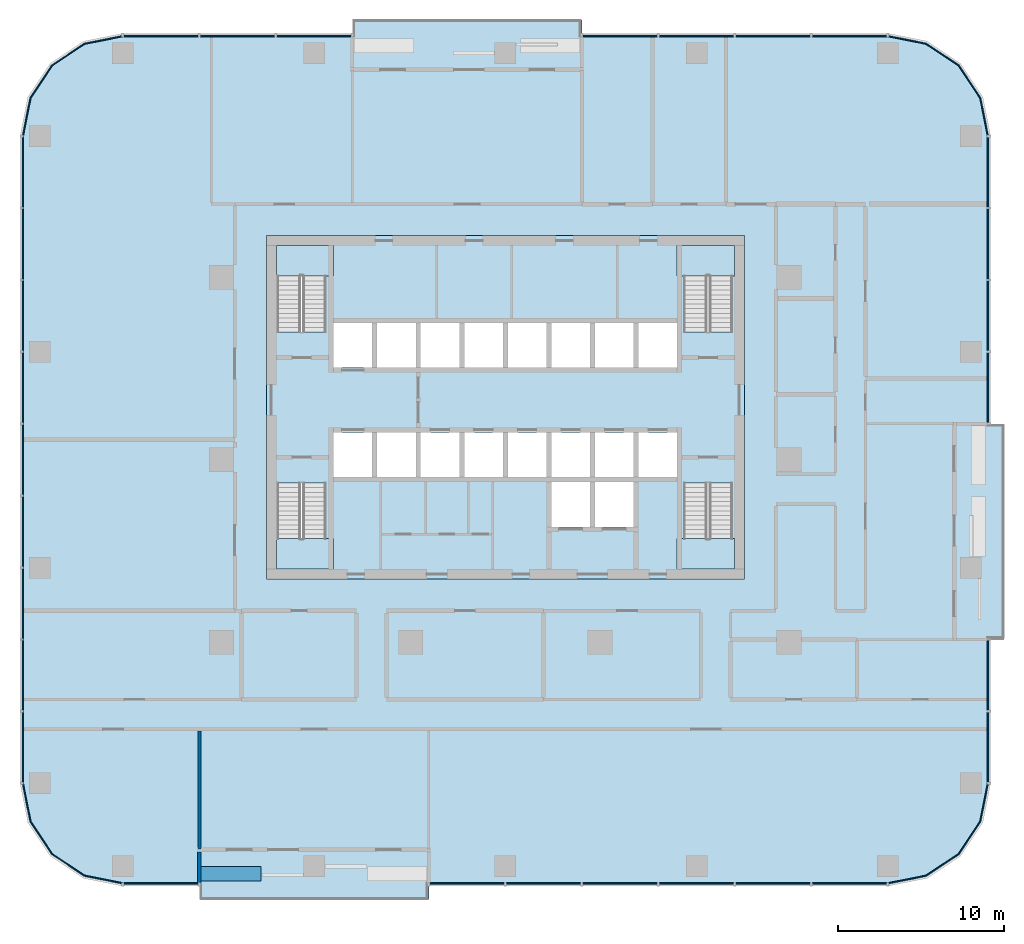
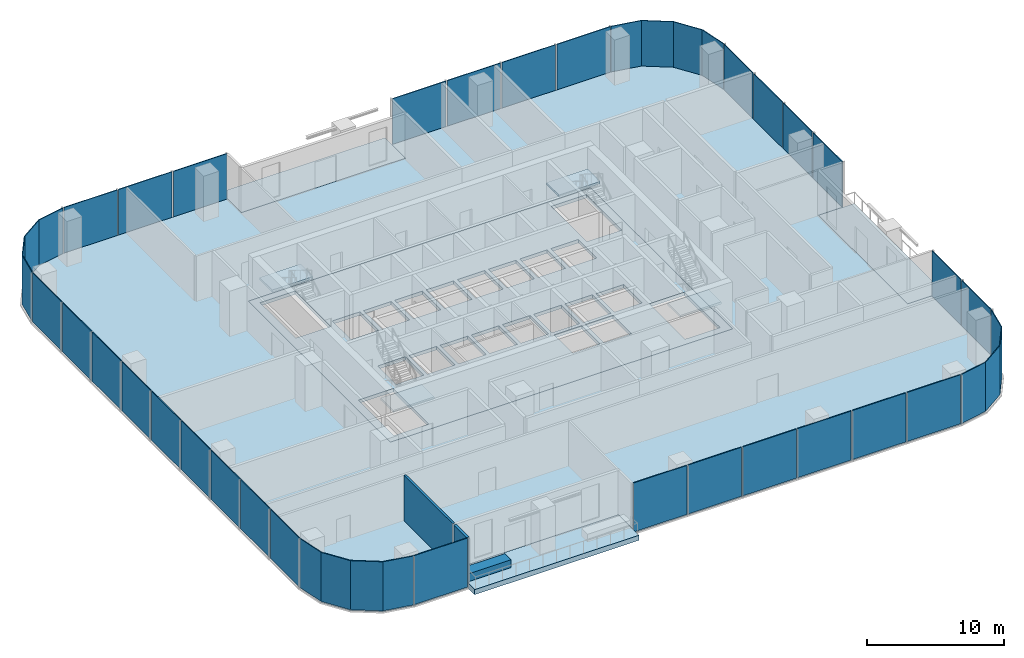
# One storey, part 6 of 14: 33 plates, 9 slabs, 3 walls, 15 elements without a shape of their own.
"""IFC4 building model written with IfcOpenShell, lengths in metres."""

from ifc_helpers import new_model, si_unit, direction, frame, frame_2d, origin, origin_2d, place, context, subcontext, project, spatial, polyline, rectangle, outline, extrude, material, layer, layer_set, type_object, element, aggregate, save


model = new_model("IFC4")

# Units and contexts
model_context = context("Model", 3, precision=1e-05, world=origin(), true_north=direction((0.0, 1.0)))
body_context = subcontext(model_context, "Body", "Model", "MODEL_VIEW")
ifc_project = project(units=[si_unit("LENGTHUNIT", "METRE"), si_unit("AREAUNIT", "SQUARE_METRE"), si_unit("VOLUMEUNIT", "CUBIC_METRE"), si_unit("PLANEANGLEUNIT", "RADIAN"), si_unit("MASSUNIT", "GRAM", prefix="KILO")], contexts=[model_context])

# Site, building, storey
site_placement = place(None, origin())
site = spatial("IfcSite", under=ifc_project, at=site_placement, CompositionType="ELEMENT")
building_placement = place(site_placement, origin())
building = spatial("IfcBuilding", under=site, at=building_placement, Name="Mopane Tessera Tower", CompositionType="ELEMENT")
storey_placement = place(building_placement, frame((0.0, 0.0, 130.60009765625)))
storey = spatial("IfcBuildingStorey", under=building, at=storey_placement, Name="L26", CompositionType="ELEMENT", Elevation=130.60009765625)

# Slab
ifc_material_1 = material(Name="Concrete C40/50", Category="concrete")
ifc_layer_1 = layer(ifc_material_1, 0.300048828125)
ifc_layer_set_1 = layer_set([ifc_layer_1], Name="Concrete C40/50")
slab_type_1 = type_object("IfcSlabType", Name="Core floor slab 300 mm", PredefinedType="FLOOR", material=ifc_layer_set_1)
slab_1_placement = place(storey_placement, frame((0.0, 0.0, -0.300048828125)))
element("IfcSlab", 1, at=slab_1_placement, inside=storey, type_object=slab_type_1, Name="L26 core floor slab", PredefinedType="FLOOR", context=body_context, shape_type="SweptSolid", body=[
    extrude(outline(polyline([(-14.39990234375, -7.199951171875), (14.39990234375, -7.199951171875), (14.39990234375, 13.5), (-14.39990234375, 13.5), (-14.39990234375, -7.199951171875)]), holes=[polyline([(-10.35009765625, -1.050048828125), (-8.02490234375, -1.050048828125), (-8.02490234375, 1.64990234375), (-10.35009765625, 1.64990234375), (-10.35009765625, -1.050048828125)]), polyline([(-7.72509765625, -1.050048828125), (-5.39990234375, -1.050048828125), (-5.39990234375, 1.64990234375), (-7.72509765625, 1.64990234375), (-7.72509765625, -1.050048828125)]), polyline([(-5.10009765625, -1.050048828125), (-2.77490234375, -1.050048828125), (-2.77490234375, 1.64990234375), (-5.10009765625, 1.64990234375), (-5.10009765625, -1.050048828125)]), polyline([(-2.47509765625, -1.050048828125), (-0.14990234375, -1.050048828125), (-0.14990234375, 1.64990234375), (-2.47509765625, 1.64990234375), (-2.47509765625, -1.050048828125)]), polyline([(0.14990234375, -1.050048828125), (2.47509765625, -1.050048828125), (2.47509765625, 1.64990234375), (0.14990234375, 1.64990234375), (0.14990234375, -1.050048828125)]), polyline([(2.77490234375, -1.050048828125), (5.10009765625, -1.050048828125), (5.10009765625, 1.64990234375), (2.77490234375, 1.64990234375), (2.77490234375, -1.050048828125)]), polyline([(5.39990234375, -1.050048828125), (7.72509765625, -1.050048828125), (7.72509765625, 1.64990234375), (5.39990234375, 1.64990234375), (5.39990234375, -1.050048828125)]), polyline([(8.02490234375, -1.050048828125), (10.35009765625, -1.050048828125), (10.35009765625, 1.64990234375), (8.02490234375, 1.64990234375), (8.02490234375, -1.050048828125)]), polyline([(-10.35009765625, 5.550048828125), (-8.02490234375, 5.550048828125), (-8.02490234375, 8.25), (-10.35009765625, 8.25), (-10.35009765625, 5.550048828125)]), polyline([(-7.72509765625, 5.550048828125), (-5.39990234375, 5.550048828125), (-5.39990234375, 8.25), (-7.72509765625, 8.25), (-7.72509765625, 5.550048828125)]), polyline([(-5.10009765625, 5.550048828125), (-2.77490234375, 5.550048828125), (-2.77490234375, 8.25), (-5.10009765625, 8.25), (-5.10009765625, 5.550048828125)]), polyline([(-2.47509765625, 5.550048828125), (-0.14990234375, 5.550048828125), (-0.14990234375, 8.25), (-2.47509765625, 8.25), (-2.47509765625, 5.550048828125)]), polyline([(0.14990234375, 5.550048828125), (2.47509765625, 5.550048828125), (2.47509765625, 8.25), (0.14990234375, 8.25), (0.14990234375, 5.550048828125)]), polyline([(2.77490234375, 5.550048828125), (5.10009765625, 5.550048828125), (5.10009765625, 8.25), (2.77490234375, 8.25), (2.77490234375, 5.550048828125)]), polyline([(5.39990234375, 5.550048828125), (7.72509765625, 5.550048828125), (7.72509765625, 8.25), (5.39990234375, 8.25), (5.39990234375, 5.550048828125)]), polyline([(8.02490234375, 5.550048828125), (10.35009765625, 5.550048828125), (10.35009765625, 8.25), (8.02490234375, 8.25), (8.02490234375, 5.550048828125)]), polyline([(2.77490234375, -4.050048828125), (5.10009765625, -4.050048828125), (5.10009765625, -1.35009765625), (2.77490234375, -1.35009765625), (2.77490234375, -4.050048828125)]), polyline([(5.39990234375, -4.050048828125), (7.72509765625, -4.050048828125), (7.72509765625, -1.35009765625), (5.39990234375, -1.35009765625), (5.39990234375, -4.050048828125)]), polyline([(-13.75, -1.405029296875), (-13.75, -6.60009765625), (-10.800048828125, -6.60009765625), (-10.800048828125, -1.405029296875), (-13.75, -1.405029296875)]), polyline([(-10.800048828125, 7.705078125), (-10.800048828125, 12.89990234375), (-13.75, 12.89990234375), (-13.75, 7.705078125), (-10.800048828125, 7.705078125)]), polyline([(10.75, -1.405029296875), (10.75, -6.60009765625), (13.699951171875, -6.60009765625), (13.699951171875, -1.405029296875), (10.75, -1.405029296875)]), polyline([(13.699951171875, 7.705078125), (13.699951171875, 12.89990234375), (10.75, 12.89990234375), (10.75, 7.705078125), (13.699951171875, 7.705078125)])]), origin(), (0.0, 0.0, 1.0), 0.300048828125),
])

# Stair, slab
ifc_material_2 = material(Name="Concrete C50/60", Category="concrete")
stair_type = type_object("IfcStairType", Name="Escape stair 1400 mm, riser 173 mm", PredefinedType="HALF_TURN_STAIR", material=ifc_material_2)
stair_1_placement = place(storey_placement, origin())
stair_1 = element("IfcStair", 2, at=stair_1_placement, inside=storey, type_object=stair_type, Name="L26 Escape stair south-west", PredefinedType="HALF_TURN_STAIR")
ifc_material_3 = material(Name="Concrete C50/60", Category="concrete")
ifc_layer_2 = layer(ifc_material_3, 0.199951171875)
ifc_layer_set_2 = layer_set([ifc_layer_2], Name="Concrete C50/60")
slab_type_2 = type_object("IfcSlabType", Name="Escape stair landing 200 mm", PredefinedType="LANDING", material=ifc_layer_set_2)
slab_2_placement = place(storey_placement, frame((0.0, 0.0, 2.0498046875)))
slab_2 = element("IfcSlab", 3, at=slab_2_placement, type_object=slab_type_2, Name="ST1 landing 1", PredefinedType="LANDING", context=body_context, shape_type="SweptSolid", body=[
    extrude(outline(polyline([(-13.800048828125, -4.760009765625), (-13.800048828125, -6.60009765625), (-10.35009765625, -6.60009765625), (-10.35009765625, -4.760009765625), (-13.800048828125, -4.760009765625)])), origin(), (0.0, 0.0, 1.0), 0.2001953125),
])
aggregate(stair_1, [slab_2])

stair_2_placement = place(storey_placement, origin())
stair_2 = element("IfcStair", 4, at=stair_2_placement, inside=storey, type_object=stair_type, Name="L26 Escape stair north-west", PredefinedType="HALF_TURN_STAIR")
slab_3_placement = place(storey_placement, frame((0.0, 0.0, 2.0498046875)))
slab_3 = element("IfcSlab", 5, at=slab_3_placement, type_object=slab_type_2, Name="ST2 landing 1", PredefinedType="LANDING", context=body_context, shape_type="SweptSolid", body=[
    extrude(outline(polyline([(-10.35009765625, 11.06005859375), (-10.35009765625, 12.89990234375), (-13.800048828125, 12.89990234375), (-13.800048828125, 11.06005859375), (-10.35009765625, 11.06005859375)])), origin(), (0.0, 0.0, 1.0), 0.2001953125),
])
aggregate(stair_2, [slab_3])

stair_3_placement = place(storey_placement, origin())
stair_3 = element("IfcStair", 6, at=stair_3_placement, inside=storey, type_object=stair_type, Name="L26 Escape stair south-east", PredefinedType="HALF_TURN_STAIR")
slab_4_placement = place(storey_placement, frame((0.0, 0.0, 2.0498046875)))
slab_4 = element("IfcSlab", 7, at=slab_4_placement, type_object=slab_type_2, Name="ST3 landing 1", PredefinedType="LANDING", context=body_context, shape_type="SweptSolid", body=[
    extrude(outline(polyline([(10.35009765625, -4.760009765625), (10.35009765625, -6.60009765625), (13.800048828125, -6.60009765625), (13.800048828125, -4.760009765625), (10.35009765625, -4.760009765625)])), origin(), (0.0, 0.0, 1.0), 0.2001953125),
])
aggregate(stair_3, [slab_4])

stair_4_placement = place(storey_placement, origin())
stair_4 = element("IfcStair", 8, at=stair_4_placement, inside=storey, type_object=stair_type, Name="L26 Escape stair north-east", PredefinedType="HALF_TURN_STAIR")
slab_5_placement = place(storey_placement, frame((0.0, 0.0, 2.0498046875)))
slab_5 = element("IfcSlab", 9, at=slab_5_placement, type_object=slab_type_2, Name="ST4 landing 1", PredefinedType="LANDING", context=body_context, shape_type="SweptSolid", body=[
    extrude(outline(polyline([(13.800048828125, 11.06005859375), (13.800048828125, 12.89990234375), (10.35009765625, 12.89990234375), (10.35009765625, 11.06005859375), (13.800048828125, 11.06005859375)])), origin(), (0.0, 0.0, 1.0), 0.2001953125),
])
aggregate(stair_4, [slab_5])

# Curtain wall, plate
ifc_material_4 = material(Name="Aluminium frame", Category="aluminium")
curtain_wall_type = type_object("IfcCurtainWallType", Name="Lower tower unitised wall", PredefinedType="NOTDEFINED", material=ifc_material_4)
curtain_wall_1_placement = place(storey_placement, origin())
curtain_wall_1 = element("IfcCurtainWall", 10, at=curtain_wall_1_placement, inside=storey, type_object=curtain_wall_type, Name="e:cw:L26:S:0", PredefinedType="NOTDEFINED")
ifc_material_5 = material(Name="Clear laminated glass", Category="glass")
ifc_layer_3 = layer(ifc_material_5, 0.070068359375)
ifc_layer_set_3 = layer_set([ifc_layer_3], Name="Clear laminated glass")
plate_type = type_object("IfcPlateType", Name="Laminated glazed unit 70", PredefinedType="CURTAIN_PANEL", material=ifc_layer_set_3)
plate_1_placement = place(storey_placement, frame((-20.7451171875, -25.534912109375, -0.31005859375), z_axis=(0.0, 0.0, 1.0), x_axis=(1.0, 0.0, 0.0)))
plate_1 = element("IfcPlate", 11, at=plate_1_placement, type_object=plate_type, Name="e:cw:L26:S:0:pn0", PredefinedType="CURTAIN_PANEL", context=body_context, shape_type="SweptSolid", body=[
    extrude(rectangle(XDim=4.5, YDim=0.070068359375, at=origin_2d()), origin(), (0.0, 0.0, 1.0), 4.360107421875),
])
aggregate(curtain_wall_1, [plate_1])

# Curtain wall, plates
curtain_wall_2_placement = place(storey_placement, origin())
curtain_wall_2 = element("IfcCurtainWall", 12, at=curtain_wall_2_placement, inside=storey, type_object=curtain_wall_type, Name="e:cw:L26:S:4", PredefinedType="NOTDEFINED")
plate_2_placement = place(storey_placement, frame((-2.304931640625, -25.534912109375, -0.31005859375), z_axis=(0.0, 0.0, 1.0), x_axis=(1.0, 0.0, 0.0)))
plate_2 = element("IfcPlate", 13, at=plate_2_placement, type_object=plate_type, Name="e:cw:L26:S:4:pn4", PredefinedType="CURTAIN_PANEL", context=body_context, shape_type="SweptSolid", body=[
    extrude(rectangle(XDim=4.5, YDim=0.070068359375, at=origin_2d()), origin(), (0.0, 0.0, 1.0), 4.360107421875),
])
plate_3_placement = place(storey_placement, frame((2.304931640625, -25.534912109375, -0.31005859375), z_axis=(0.0, 0.0, 1.0), x_axis=(1.0, 0.0, 0.0)))
plate_3 = element("IfcPlate", 14, at=plate_3_placement, type_object=plate_type, Name="e:cw:L26:S:4:pn5", PredefinedType="CURTAIN_PANEL", context=body_context, shape_type="SweptSolid", body=[
    extrude(rectangle(XDim=4.5, YDim=0.070068359375, at=origin_2d()), origin(), (0.0, 0.0, 1.0), 4.360107421875),
])
plate_4_placement = place(storey_placement, frame((6.9150390625, -25.534912109375, -0.31005859375), z_axis=(0.0, 0.0, 1.0), x_axis=(1.0, 0.0, 0.0)))
plate_4 = element("IfcPlate", 15, at=plate_4_placement, type_object=plate_type, Name="e:cw:L26:S:4:pn6", PredefinedType="CURTAIN_PANEL", context=body_context, shape_type="SweptSolid", body=[
    extrude(rectangle(XDim=4.5, YDim=0.070068359375, at=origin_2d()), origin(), (0.0, 0.0, 1.0), 4.360107421875),
])
plate_5_placement = place(storey_placement, frame((11.52490234375, -25.534912109375, -0.31005859375), z_axis=(0.0, 0.0, 1.0), x_axis=(1.0, 0.0, 0.0)))
plate_5 = element("IfcPlate", 16, at=plate_5_placement, type_object=plate_type, Name="e:cw:L26:S:4:pn7", PredefinedType="CURTAIN_PANEL", context=body_context, shape_type="SweptSolid", body=[
    extrude(rectangle(XDim=4.5, YDim=0.070068359375, at=origin_2d()), origin(), (0.0, 0.0, 1.0), 4.360107421875),
])
plate_6_placement = place(storey_placement, frame((16.135009765625, -25.534912109375, -0.31005859375), z_axis=(0.0, 0.0, 1.0), x_axis=(1.0, 0.0, 0.0)))
plate_6 = element("IfcPlate", 17, at=plate_6_placement, type_object=plate_type, Name="e:cw:L26:S:4:pn8", PredefinedType="CURTAIN_PANEL", context=body_context, shape_type="SweptSolid", body=[
    extrude(rectangle(XDim=4.5, YDim=0.070068359375, at=origin_2d()), origin(), (0.0, 0.0, 1.0), 4.360107421875),
])
plate_7_placement = place(storey_placement, frame((20.7451171875, -25.534912109375, -0.31005859375), z_axis=(0.0, 0.0, 1.0), x_axis=(1.0, 0.0, 0.0)))
plate_7 = element("IfcPlate", 18, at=plate_7_placement, type_object=plate_type, Name="e:cw:L26:S:4:pn9", PredefinedType="CURTAIN_PANEL", context=body_context, shape_type="SweptSolid", body=[
    extrude(rectangle(XDim=4.5, YDim=0.070068359375, at=origin_2d()), origin(), (0.0, 0.0, 1.0), 4.360107421875),
])
aggregate(curtain_wall_2, [plate_2, plate_3, plate_4, plate_5, plate_6, plate_7])

# Curtain wall, plate
curtain_wall_3_placement = place(storey_placement, origin())
curtain_wall_3 = element("IfcCurtainWall", 19, at=curtain_wall_3_placement, inside=storey, type_object=curtain_wall_type, Name="e:cw:L26:CS", PredefinedType="NOTDEFINED")
plate_8_placement = place(storey_placement, frame((0.0, 0.0, -0.31005859375)))
plate_8 = element("IfcPlate", 20, at=plate_8_placement, type_object=plate_type, Name="e:cw:L26:CS:pn", PredefinedType="CURTAIN_PANEL", context=body_context, shape_type="SweptSolid", body=[
    extrude(outline(polyline([(23.050048828125, -25.5), (25.34619140625, -25.043212890625), (27.292724609375, -23.74267578125), (28.59326171875, -21.796142578125), (29.050048828125, -19.5), (29.1201171875, -19.5), (28.657958984375, -21.822998046875), (27.342041015625, -23.792236328125), (25.372802734375, -25.10791015625), (23.050048828125, -25.570068359375), (23.050048828125, -25.5)])), origin(), (0.0, 0.0, 1.0), 4.35986328125),
])
aggregate(curtain_wall_3, [plate_8])

# Curtain wall, plates
curtain_wall_4_placement = place(storey_placement, origin())
curtain_wall_4 = element("IfcCurtainWall", 21, at=curtain_wall_4_placement, inside=storey, type_object=curtain_wall_type, Name="e:cw:L26:E:0", PredefinedType="NOTDEFINED")
plate_9_placement = place(storey_placement, frame((29.0849609375, -17.333251953125, -0.31005859375), z_axis=(0.0, 0.0, 1.0), x_axis=(0.0, 1.0, 0.0)))
plate_9 = element("IfcPlate", 22, at=plate_9_placement, type_object=plate_type, Name="e:cw:L26:E:0:pn0", PredefinedType="CURTAIN_PANEL", context=body_context, shape_type="SweptSolid", body=[
    extrude(rectangle(XDim=4.223388671875, YDim=0.070068359375, at=origin_2d()), origin(), (0.0, 0.0, 1.0), 4.360107421875),
])
plate_10_placement = place(storey_placement, frame((29.0849609375, -13.0, -0.31005859375), z_axis=(0.0, 0.0, 1.0), x_axis=(0.0, 1.0, 0.0)))
plate_10 = element("IfcPlate", 23, at=plate_10_placement, type_object=plate_type, Name="e:cw:L26:E:0:pn1", PredefinedType="CURTAIN_PANEL", context=body_context, shape_type="SweptSolid", body=[
    extrude(rectangle(XDim=4.223388671875, YDim=0.070068359375, at=origin_2d()), origin(), (0.0, 0.0, 1.0), 4.360107421875),
])
aggregate(curtain_wall_4, [plate_9, plate_10])

curtain_wall_5_placement = place(storey_placement, origin())
curtain_wall_5 = element("IfcCurtainWall", 24, at=curtain_wall_5_placement, inside=storey, type_object=curtain_wall_type, Name="e:cw:L26:E:5", PredefinedType="NOTDEFINED")
plate_11_placement = place(storey_placement, frame((29.0849609375, 4.333251953125, -0.31005859375), z_axis=(0.0, 0.0, 1.0), x_axis=(0.0, 1.0, 0.0)))
plate_11 = element("IfcPlate", 25, at=plate_11_placement, type_object=plate_type, Name="e:cw:L26:E:5:pn5", PredefinedType="CURTAIN_PANEL", context=body_context, shape_type="SweptSolid", body=[
    extrude(rectangle(XDim=4.223388671875, YDim=0.070068359375, at=origin_2d()), origin(), (0.0, 0.0, 1.0), 4.360107421875),
])
plate_12_placement = place(storey_placement, frame((29.0849609375, 8.666748046875, -0.31005859375), z_axis=(0.0, 0.0, 1.0), x_axis=(0.0, 1.0, 0.0)))
plate_12 = element("IfcPlate", 26, at=plate_12_placement, type_object=plate_type, Name="e:cw:L26:E:5:pn6", PredefinedType="CURTAIN_PANEL", context=body_context, shape_type="SweptSolid", body=[
    extrude(rectangle(XDim=4.223388671875, YDim=0.070068359375, at=origin_2d()), origin(), (0.0, 0.0, 1.0), 4.360107421875),
])
plate_13_placement = place(storey_placement, frame((29.0849609375, 13.0, -0.31005859375), z_axis=(0.0, 0.0, 1.0), x_axis=(0.0, 1.0, 0.0)))
plate_13 = element("IfcPlate", 27, at=plate_13_placement, type_object=plate_type, Name="e:cw:L26:E:5:pn7", PredefinedType="CURTAIN_PANEL", context=body_context, shape_type="SweptSolid", body=[
    extrude(rectangle(XDim=4.223388671875, YDim=0.070068359375, at=origin_2d()), origin(), (0.0, 0.0, 1.0), 4.360107421875),
])
plate_14_placement = place(storey_placement, frame((29.0849609375, 17.333251953125, -0.31005859375), z_axis=(0.0, 0.0, 1.0), x_axis=(0.0, 1.0, 0.0)))
plate_14 = element("IfcPlate", 28, at=plate_14_placement, type_object=plate_type, Name="e:cw:L26:E:5:pn8", PredefinedType="CURTAIN_PANEL", context=body_context, shape_type="SweptSolid", body=[
    extrude(rectangle(XDim=4.223388671875, YDim=0.070068359375, at=origin_2d()), origin(), (0.0, 0.0, 1.0), 4.360107421875),
])
aggregate(curtain_wall_5, [plate_11, plate_12, plate_13, plate_14])

# Curtain wall, plate
curtain_wall_6_placement = place(storey_placement, origin())
curtain_wall_6 = element("IfcCurtainWall", 29, at=curtain_wall_6_placement, inside=storey, type_object=curtain_wall_type, Name="e:cw:L26:CE", PredefinedType="NOTDEFINED")
plate_15_placement = place(storey_placement, frame((0.0, 0.0, -0.31005859375)))
plate_15 = element("IfcPlate", 30, at=plate_15_placement, type_object=plate_type, Name="e:cw:L26:CE:pn", PredefinedType="CURTAIN_PANEL", context=body_context, shape_type="SweptSolid", body=[
    extrude(outline(polyline([(29.050048828125, 19.5), (28.59326171875, 21.796142578125), (27.292724609375, 23.74267578125), (25.34619140625, 25.043212890625), (23.050048828125, 25.5), (23.050048828125, 25.570068359375), (25.372802734375, 25.10791015625), (27.342041015625, 23.792236328125), (28.657958984375, 21.822998046875), (29.1201171875, 19.5), (29.050048828125, 19.5)])), origin(), (0.0, 0.0, 1.0), 4.35986328125),
])
aggregate(curtain_wall_6, [plate_15])

# Curtain wall, plates
curtain_wall_7_placement = place(storey_placement, origin())
curtain_wall_7 = element("IfcCurtainWall", 31, at=curtain_wall_7_placement, inside=storey, type_object=curtain_wall_type, Name="e:cw:L26:N:0", PredefinedType="NOTDEFINED")
plate_16_placement = place(storey_placement, frame((20.7451171875, 25.534912109375, -0.31005859375), z_axis=(0.0, 0.0, 1.0), x_axis=(-1.0, 0.0, 0.0)))
plate_16 = element("IfcPlate", 32, at=plate_16_placement, type_object=plate_type, Name="e:cw:L26:N:0:pn0", PredefinedType="CURTAIN_PANEL", context=body_context, shape_type="SweptSolid", body=[
    extrude(rectangle(XDim=4.5, YDim=0.070068359375, at=origin_2d()), origin(), (0.0, 0.0, 1.0), 4.360107421875),
])
plate_17_placement = place(storey_placement, frame((16.135009765625, 25.534912109375, -0.31005859375), z_axis=(0.0, 0.0, 1.0), x_axis=(-1.0, 0.0, 0.0)))
plate_17 = element("IfcPlate", 33, at=plate_17_placement, type_object=plate_type, Name="e:cw:L26:N:0:pn1", PredefinedType="CURTAIN_PANEL", context=body_context, shape_type="SweptSolid", body=[
    extrude(rectangle(XDim=4.5, YDim=0.070068359375, at=origin_2d()), origin(), (0.0, 0.0, 1.0), 4.360107421875),
])
plate_18_placement = place(storey_placement, frame((11.52490234375, 25.534912109375, -0.31005859375), z_axis=(0.0, 0.0, 1.0), x_axis=(-1.0, 0.0, 0.0)))
plate_18 = element("IfcPlate", 34, at=plate_18_placement, type_object=plate_type, Name="e:cw:L26:N:0:pn2", PredefinedType="CURTAIN_PANEL", context=body_context, shape_type="SweptSolid", body=[
    extrude(rectangle(XDim=4.5, YDim=0.070068359375, at=origin_2d()), origin(), (0.0, 0.0, 1.0), 4.360107421875),
])
plate_19_placement = place(storey_placement, frame((6.9150390625, 25.534912109375, -0.31005859375), z_axis=(0.0, 0.0, 1.0), x_axis=(-1.0, 0.0, 0.0)))
plate_19 = element("IfcPlate", 35, at=plate_19_placement, type_object=plate_type, Name="e:cw:L26:N:0:pn3", PredefinedType="CURTAIN_PANEL", context=body_context, shape_type="SweptSolid", body=[
    extrude(rectangle(XDim=4.5, YDim=0.070068359375, at=origin_2d()), origin(), (0.0, 0.0, 1.0), 4.360107421875),
])
aggregate(curtain_wall_7, [plate_16, plate_17, plate_18, plate_19])

curtain_wall_8_placement = place(storey_placement, origin())
curtain_wall_8 = element("IfcCurtainWall", 36, at=curtain_wall_8_placement, inside=storey, type_object=curtain_wall_type, Name="e:cw:L26:N:7", PredefinedType="NOTDEFINED")
plate_20_placement = place(storey_placement, frame((-11.52490234375, 25.534912109375, -0.31005859375), z_axis=(0.0, 0.0, 1.0), x_axis=(-1.0, 0.0, 0.0)))
plate_20 = element("IfcPlate", 37, at=plate_20_placement, type_object=plate_type, Name="e:cw:L26:N:7:pn7", PredefinedType="CURTAIN_PANEL", context=body_context, shape_type="SweptSolid", body=[
    extrude(rectangle(XDim=4.5, YDim=0.070068359375, at=origin_2d()), origin(), (0.0, 0.0, 1.0), 4.360107421875),
])
plate_21_placement = place(storey_placement, frame((-16.135009765625, 25.534912109375, -0.31005859375), z_axis=(0.0, 0.0, 1.0), x_axis=(-1.0, 0.0, 0.0)))
plate_21 = element("IfcPlate", 38, at=plate_21_placement, type_object=plate_type, Name="e:cw:L26:N:7:pn8", PredefinedType="CURTAIN_PANEL", context=body_context, shape_type="SweptSolid", body=[
    extrude(rectangle(XDim=4.5, YDim=0.070068359375, at=origin_2d()), origin(), (0.0, 0.0, 1.0), 4.360107421875),
])
plate_22_placement = place(storey_placement, frame((-20.7451171875, 25.534912109375, -0.31005859375), z_axis=(0.0, 0.0, 1.0), x_axis=(-1.0, 0.0, 0.0)))
plate_22 = element("IfcPlate", 39, at=plate_22_placement, type_object=plate_type, Name="e:cw:L26:N:7:pn9", PredefinedType="CURTAIN_PANEL", context=body_context, shape_type="SweptSolid", body=[
    extrude(rectangle(XDim=4.5, YDim=0.070068359375, at=origin_2d()), origin(), (0.0, 0.0, 1.0), 4.360107421875),
])
aggregate(curtain_wall_8, [plate_20, plate_21, plate_22])

# Curtain wall, plate
curtain_wall_9_placement = place(storey_placement, origin())
curtain_wall_9 = element("IfcCurtainWall", 40, at=curtain_wall_9_placement, inside=storey, type_object=curtain_wall_type, Name="e:cw:L26:CN", PredefinedType="NOTDEFINED")
plate_23_placement = place(storey_placement, frame((0.0, 0.0, -0.31005859375)))
plate_23 = element("IfcPlate", 41, at=plate_23_placement, type_object=plate_type, Name="e:cw:L26:CN:pn", PredefinedType="CURTAIN_PANEL", context=body_context, shape_type="SweptSolid", body=[
    extrude(outline(polyline([(-23.050048828125, 25.5), (-25.34619140625, 25.043212890625), (-27.292724609375, 23.74267578125), (-28.59326171875, 21.796142578125), (-29.050048828125, 19.5), (-29.1201171875, 19.5), (-28.657958984375, 21.822998046875), (-27.342041015625, 23.792236328125), (-25.372802734375, 25.10791015625), (-23.050048828125, 25.570068359375), (-23.050048828125, 25.5)])), origin(), (0.0, 0.0, 1.0), 4.35986328125),
])
aggregate(curtain_wall_9, [plate_23])

# Curtain wall, plates
curtain_wall_10_placement = place(storey_placement, origin())
curtain_wall_10 = element("IfcCurtainWall", 42, at=curtain_wall_10_placement, inside=storey, type_object=curtain_wall_type, Name="e:cw:L26:W:0", PredefinedType="NOTDEFINED")
plate_24_placement = place(storey_placement, frame((-29.0849609375, 17.333251953125, -0.31005859375), z_axis=(0.0, 0.0, 1.0), x_axis=(0.0, -1.0, 0.0)))
plate_24 = element("IfcPlate", 43, at=plate_24_placement, type_object=plate_type, Name="e:cw:L26:W:0:pn0", PredefinedType="CURTAIN_PANEL", context=body_context, shape_type="SweptSolid", body=[
    extrude(rectangle(XDim=4.223388671875, YDim=0.070068359375, at=origin_2d()), origin(), (0.0, 0.0, 1.0), 4.360107421875),
])
plate_25_placement = place(storey_placement, frame((-29.0849609375, 13.0, -0.31005859375), z_axis=(0.0, 0.0, 1.0), x_axis=(0.0, -1.0, 0.0)))
plate_25 = element("IfcPlate", 44, at=plate_25_placement, type_object=plate_type, Name="e:cw:L26:W:0:pn1", PredefinedType="CURTAIN_PANEL", context=body_context, shape_type="SweptSolid", body=[
    extrude(rectangle(XDim=4.223388671875, YDim=0.070068359375, at=origin_2d()), origin(), (0.0, 0.0, 1.0), 4.360107421875),
])
plate_26_placement = place(storey_placement, frame((-29.0849609375, 8.666748046875, -0.31005859375), z_axis=(0.0, 0.0, 1.0), x_axis=(0.0, -1.0, 0.0)))
plate_26 = element("IfcPlate", 45, at=plate_26_placement, type_object=plate_type, Name="e:cw:L26:W:0:pn2", PredefinedType="CURTAIN_PANEL", context=body_context, shape_type="SweptSolid", body=[
    extrude(rectangle(XDim=4.223388671875, YDim=0.070068359375, at=origin_2d()), origin(), (0.0, 0.0, 1.0), 4.360107421875),
])
plate_27_placement = place(storey_placement, frame((-29.0849609375, 4.333251953125, -0.31005859375), z_axis=(0.0, 0.0, 1.0), x_axis=(0.0, -1.0, 0.0)))
plate_27 = element("IfcPlate", 46, at=plate_27_placement, type_object=plate_type, Name="e:cw:L26:W:0:pn3", PredefinedType="CURTAIN_PANEL", context=body_context, shape_type="SweptSolid", body=[
    extrude(rectangle(XDim=4.223388671875, YDim=0.070068359375, at=origin_2d()), origin(), (0.0, 0.0, 1.0), 4.360107421875),
])
plate_28_placement = place(storey_placement, frame((-29.0849609375, 0.0, -0.31005859375), z_axis=(0.0, 0.0, 1.0), x_axis=(0.0, -1.0, 0.0)))
plate_28 = element("IfcPlate", 47, at=plate_28_placement, type_object=plate_type, Name="e:cw:L26:W:0:pn4", PredefinedType="CURTAIN_PANEL", context=body_context, shape_type="SweptSolid", body=[
    extrude(rectangle(XDim=4.223388671875, YDim=0.070068359375, at=origin_2d()), origin(), (0.0, 0.0, 1.0), 4.360107421875),
])
plate_29_placement = place(storey_placement, frame((-29.0849609375, -4.333251953125, -0.31005859375), z_axis=(0.0, 0.0, 1.0), x_axis=(0.0, -1.0, 0.0)))
plate_29 = element("IfcPlate", 48, at=plate_29_placement, type_object=plate_type, Name="e:cw:L26:W:0:pn5", PredefinedType="CURTAIN_PANEL", context=body_context, shape_type="SweptSolid", body=[
    extrude(rectangle(XDim=4.223388671875, YDim=0.070068359375, at=origin_2d()), origin(), (0.0, 0.0, 1.0), 4.360107421875),
])
plate_30_placement = place(storey_placement, frame((-29.0849609375, -8.666748046875, -0.31005859375), z_axis=(0.0, 0.0, 1.0), x_axis=(0.0, -1.0, 0.0)))
plate_30 = element("IfcPlate", 49, at=plate_30_placement, type_object=plate_type, Name="e:cw:L26:W:0:pn6", PredefinedType="CURTAIN_PANEL", context=body_context, shape_type="SweptSolid", body=[
    extrude(rectangle(XDim=4.223388671875, YDim=0.070068359375, at=origin_2d()), origin(), (0.0, 0.0, 1.0), 4.360107421875),
])
plate_31_placement = place(storey_placement, frame((-29.0849609375, -13.0, -0.31005859375), z_axis=(0.0, 0.0, 1.0), x_axis=(0.0, -1.0, 0.0)))
plate_31 = element("IfcPlate", 50, at=plate_31_placement, type_object=plate_type, Name="e:cw:L26:W:0:pn7", PredefinedType="CURTAIN_PANEL", context=body_context, shape_type="SweptSolid", body=[
    extrude(rectangle(XDim=4.223388671875, YDim=0.070068359375, at=origin_2d()), origin(), (0.0, 0.0, 1.0), 4.360107421875),
])
plate_32_placement = place(storey_placement, frame((-29.0849609375, -17.333251953125, -0.31005859375), z_axis=(0.0, 0.0, 1.0), x_axis=(0.0, -1.0, 0.0)))
plate_32 = element("IfcPlate", 51, at=plate_32_placement, type_object=plate_type, Name="e:cw:L26:W:0:pn8", PredefinedType="CURTAIN_PANEL", context=body_context, shape_type="SweptSolid", body=[
    extrude(rectangle(XDim=4.223388671875, YDim=0.070068359375, at=origin_2d()), origin(), (0.0, 0.0, 1.0), 4.360107421875),
])
aggregate(curtain_wall_10, [plate_24, plate_25, plate_26, plate_27, plate_28, plate_29, plate_30, plate_31, plate_32])

# Curtain wall, plate
curtain_wall_11_placement = place(storey_placement, origin())
curtain_wall_11 = element("IfcCurtainWall", 52, at=curtain_wall_11_placement, inside=storey, type_object=curtain_wall_type, Name="e:cw:L26:CW", PredefinedType="NOTDEFINED")
plate_33_placement = place(storey_placement, frame((0.0, 0.0, -0.31005859375)))
plate_33 = element("IfcPlate", 53, at=plate_33_placement, type_object=plate_type, Name="e:cw:L26:CW:pn", PredefinedType="CURTAIN_PANEL", context=body_context, shape_type="SweptSolid", body=[
    extrude(outline(polyline([(-29.050048828125, -19.5), (-28.59326171875, -21.796142578125), (-27.292724609375, -23.74267578125), (-25.34619140625, -25.043212890625), (-23.050048828125, -25.5), (-23.050048828125, -25.570068359375), (-25.372802734375, -25.10791015625), (-27.342041015625, -23.792236328125), (-28.657958984375, -21.822998046875), (-29.1201171875, -19.5), (-29.050048828125, -19.5)])), origin(), (0.0, 0.0, 1.0), 4.35986328125),
])
aggregate(curtain_wall_11, [plate_33])

# Slabs
ifc_material_6 = material(Name="Concrete C40/50", Category="concrete")
ifc_layer_4 = layer(ifc_material_6, 0.449951171875)
ifc_layer_set_4 = layer_set([ifc_layer_4], Name="Concrete C40/50")
slab_type_3 = type_object("IfcSlabType", Name="Planted terrace slab 450 mm", PredefinedType="FLOOR", material=ifc_layer_set_4)
slab_6_placement = place(storey_placement, frame((0.0, 0.0, -0.4501953125)))
element("IfcSlab", 54, at=slab_6_placement, inside=storey, type_object=slab_type_3, Name="Terrace slab N1 L26", PredefinedType="FLOOR", context=body_context, shape_type="SweptSolid", body=[
    extrude(outline(polyline([(-9.219970703125, 26.5), (-9.219970703125, 23.5), (4.610107421875, 23.5), (4.610107421875, 26.5), (-9.219970703125, 26.5)])), origin(), (0.0, 0.0, 1.0), 0.4501953125),
])
slab_7_placement = place(storey_placement, frame((0.0, 0.0, -0.4501953125)))
element("IfcSlab", 55, at=slab_7_placement, inside=storey, type_object=slab_type_3, Name="Terrace slab N2 L26", PredefinedType="FLOOR", context=body_context, shape_type="SweptSolid", body=[
    extrude(outline(polyline([(-4.610107421875, -26.5), (-4.610107421875, -23.5), (-18.43994140625, -23.5), (-18.43994140625, -26.5), (-4.610107421875, -26.5)])), origin(), (0.0, 0.0, 1.0), 0.4501953125),
])
slab_8_placement = place(storey_placement, frame((0.0, 0.0, -0.4501953125)))
element("IfcSlab", 56, at=slab_8_placement, inside=storey, type_object=slab_type_3, Name="Terrace slab N3 L26", PredefinedType="FLOOR", context=body_context, shape_type="SweptSolid", body=[
    extrude(outline(polyline([(30.050048828125, 2.166748046875), (27.050048828125, 2.166748046875), (27.050048828125, -10.833251953125), (30.050048828125, -10.833251953125), (30.050048828125, 2.166748046875)])), origin(), (0.0, 0.0, 1.0), 0.4501953125),
])
ifc_material_7 = material(Name="Concrete C40/50", Category="concrete")
ifc_layer_5 = layer(ifc_material_7, 0.449951171875)
ifc_layer_set_5 = layer_set([ifc_layer_5], Name="Concrete C40/50")
slab_type_4 = type_object("IfcSlabType", Name="Post-tensioned flat plate 450 mm", PredefinedType="FLOOR", material=ifc_layer_set_5)
slab_9_placement = place(storey_placement, frame((0.0, 0.0, -0.4501953125)))
element("IfcSlab", 57, at=slab_9_placement, inside=storey, type_object=slab_type_4, Name="Floor slab L26", PredefinedType="FLOOR", context=body_context, shape_type="SweptSolid", body=[
    extrude(outline(polyline([(-23.050048828125, -25.5), (-18.43994140625, -25.5), (-18.43994140625, -23.5), (-4.610107421875, -23.5), (-4.610107421875, -25.5), (23.050048828125, -25.5), (25.34619140625, -25.043212890625), (27.292724609375, -23.74267578125), (28.59326171875, -21.796142578125), (29.050048828125, -19.5), (29.050048828125, -10.833251953125), (27.050048828125, -10.833251953125), (27.050048828125, 2.166748046875), (29.050048828125, 2.166748046875), (29.050048828125, 19.5), (28.59326171875, 21.796142578125), (27.292724609375, 23.74267578125), (25.34619140625, 25.043212890625), (23.050048828125, 25.5), (4.610107421875, 25.5), (4.610107421875, 23.5), (-9.219970703125, 23.5), (-9.219970703125, 25.5), (-23.050048828125, 25.5), (-25.34619140625, 25.043212890625), (-27.292724609375, 23.74267578125), (-28.59326171875, 21.796142578125), (-29.050048828125, 19.5), (-29.050048828125, -19.5), (-28.59326171875, -21.796142578125), (-27.292724609375, -23.74267578125), (-25.34619140625, -25.043212890625), (-23.050048828125, -25.5)]), holes=[polyline([(14.39990234375, -7.199951171875), (-14.39990234375, -7.199951171875), (-14.39990234375, 13.5), (14.39990234375, 13.5), (14.39990234375, -7.199951171875)])]), origin(), (0.0, 0.0, 1.0), 0.4501953125),
])

# Walls
ifc_material_8 = material(Name="Gypsum board on staggered steel studs, double layer each face, acoustic mineral wool infill", Category="steel")
ifc_layer_6 = layer(ifc_material_8, 0.175048828125)
ifc_layer_set_6 = layer_set([ifc_layer_6], Name="Gypsum board on staggered steel studs, double layer each face, acoustic mineral wool infill")
wall_type_1 = type_object("IfcWallType", Name="Gypsum board acoustic partition 175, rated EI 60", PredefinedType="PARTITIONING", material=ifc_layer_set_6)
wall_1_placement = place(storey_placement, frame((-18.43994140625, -23.449951171875, 0.0), z_axis=(0.0, 0.0, 1.0), x_axis=(0.0, 1.0, 0.0)))
element("IfcWall", 58, at=wall_1_placement, inside=storey, type_object=wall_type_1, Name="Partition L26:032", PredefinedType="PARTITIONING", context=body_context, shape_type="SweptSolid", body=[
    extrude(rectangle(XDim=7.099853515625, YDim=0.175048828125, at=frame_2d((3.5498046875, 0.0))), origin(), (0.0, 0.0, 1.0), 4.0498046875),
])
ifc_material_9 = material(Name="Reinforced concrete C32/40 with waterproofing", Category="concrete")
ifc_layer_7 = layer(ifc_material_9, 0.89990234375)
ifc_layer_set_7 = layer_set([ifc_layer_7], Name="Reinforced concrete C32/40 with waterproofing")
wall_type_2 = type_object("IfcWallType", Name="Planter trough 3600 x 900", PredefinedType="STANDARD", material=ifc_layer_set_7)
wall_2_placement = place(storey_placement, frame((-18.340087890625, -24.949951171875, 0.0), z_axis=(0.0, 0.0, 1.0), x_axis=(1.0, 0.0, 0.0)))
element("IfcWall", 59, at=wall_2_placement, inside=storey, type_object=wall_type_2, Name="e:nw:L26:N2:pl0", PredefinedType="STANDARD", context=body_context, shape_type="SweptSolid", body=[
    extrude(rectangle(XDim=3.60009765625, YDim=0.89990234375, at=frame_2d((1.800048828125, 0.0))), origin(), (0.0, 0.0, 1.0), 0.699951171875),
])
ifc_material_10 = material(Name="Blockwork with glazed tile facing", Category="masonry")
ifc_layer_8 = layer(ifc_material_10, 0.199951171875)
ifc_layer_set_8 = layer_set([ifc_layer_8], Name="Blockwork with glazed tile facing")
wall_type_3 = type_object("IfcWallType", Name="Terrace cheek wall 200", PredefinedType="STANDARD", material=ifc_layer_set_8)
wall_3_placement = place(storey_placement, frame((-18.43994140625, -25.5, 0.0), z_axis=(0.0, 0.0, 1.0), x_axis=(0.0, 1.0, 0.0)))
element("IfcWall", 60, at=wall_3_placement, inside=storey, type_object=wall_type_3, Name="e:nw:L26:N2:cheeka", PredefinedType="STANDARD", context=body_context, shape_type="SweptSolid", body=[
    extrude(rectangle(XDim=1.875, YDim=0.199951171875, at=frame_2d((0.9375, 0.0))), origin(), (0.0, 0.0, 1.0), 4.0498046875),
])

save(model, "model.ifc")
